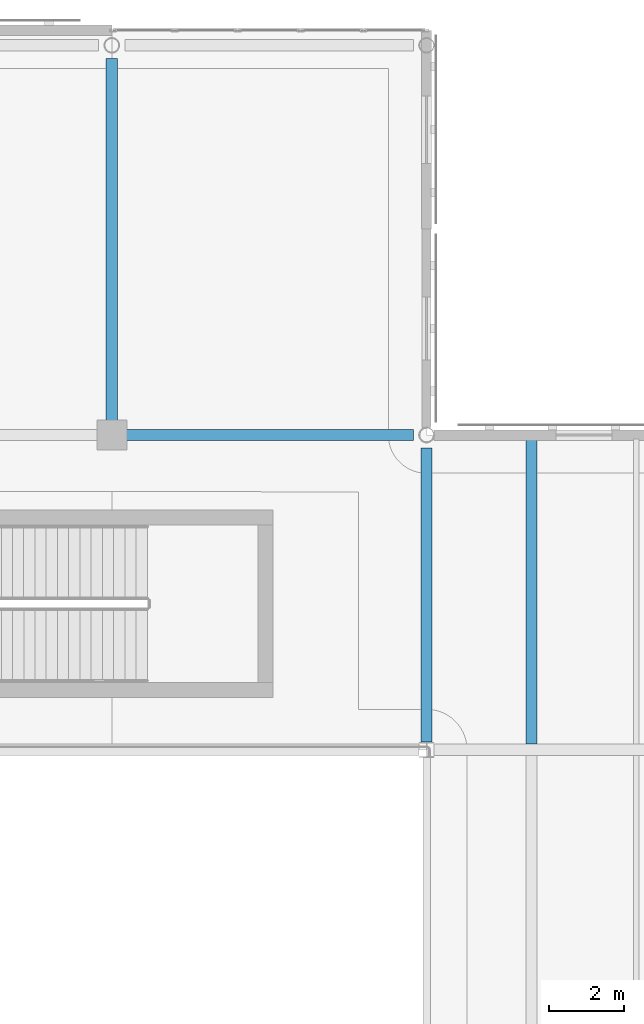
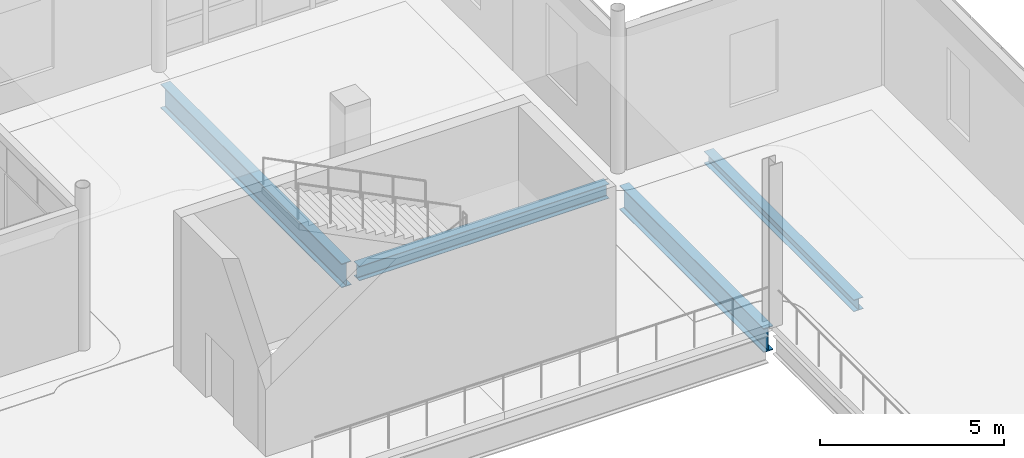
# One storey, part 31 of 110: 4 beams.
"""IFC4 building model written with IfcOpenShell, lengths in metres."""

from ifc_helpers import new_model, si_unit, direction, frame, origin, origin_2d, place, context, subcontext, project, spatial, i_section, extrude, material, material_profile, profile_set, type_object, element, save


model = new_model("IFC4")

# Units and contexts
model_context = context("Model", 3, precision=1e-05, world=origin(), true_north=direction((0.0, 1.0)))
body_context = subcontext(model_context, "Body", "Model", "MODEL_VIEW")
ifc_project = project(units=[si_unit("LENGTHUNIT", "METRE"), si_unit("AREAUNIT", "SQUARE_METRE"), si_unit("VOLUMEUNIT", "CUBIC_METRE"), si_unit("PLANEANGLEUNIT", "RADIAN"), si_unit("MASSUNIT", "GRAM", prefix="KILO"), si_unit("THERMODYNAMICTEMPERATUREUNIT", "KELVIN")], contexts=[model_context])

# Site, building, storey
site_placement = place(None, origin())
site = spatial("IfcSite", under=ifc_project, at=site_placement, CompositionType="ELEMENT")
building_placement = place(site_placement, origin())
building = spatial("IfcBuilding", under=site, at=building_placement, Name="Lustrewick Department Store", CompositionType="ELEMENT")
storey_placement = place(building_placement, frame((0.0, 0.0, 6.0)))
storey = spatial("IfcBuildingStorey", under=building, at=storey_placement, Name="L02", CompositionType="ELEMENT", Elevation=6.0)

# Beams
ifc_material = material(Name="Structural steel Q355B", Category="steel")
ifc_material_profile_1 = material_profile(ifc_material, i_section(OverallWidth=0.300048828125, OverallDepth=0.389892578125, WebThickness=0.010009765625, FlangeThickness=0.01611328125, FilletRadius=0.01806640625, at=origin_2d()), Name="HM 390x300x10x16")
ifc_profile_set_1 = profile_set([ifc_material_profile_1], Name="Structural steel Q355B")
beam_type_1 = type_object("IfcBeamType", Name="B07", PredefinedType="JOIST", material=ifc_profile_set_1)
beam_1_placement = place(storey_placement, frame((95.199951171875, 92.550048828125, -0.449951171875), z_axis=(0.0, 1.0, 0.0), x_axis=(-1.0, 0.0, 0.0)))
element("IfcBeam", 1, at=beam_1_placement, inside=storey, type_object=beam_type_1, Name="L02 V2 Secondary Joist B07", PredefinedType="JOIST", context=body_context, shape_type="SweptSolid", body=[
    extrude(i_section(OverallWidth=0.300048828125, OverallDepth=0.389892578125, WebThickness=0.010009765625, FlangeThickness=0.01611328125, FilletRadius=0.01806640625, at=origin_2d()), origin(), (0.0, 0.0, 1.0), 8.1494140625),
])
ifc_material_profile_2 = material_profile(ifc_material, i_section(OverallWidth=0.300048828125, OverallDepth=0.800048828125, WebThickness=0.013916015625, FlangeThickness=0.02587890625, FilletRadius=0.02197265625, at=origin_2d()), Name="HN 800x300x14x26")
ifc_profile_set_2 = profile_set([ifc_material_profile_2], Name="Structural steel Q355B")
beam_type_2 = type_object("IfcBeamType", Name="G05", PredefinedType="BEAM", material=ifc_profile_set_2)
beam_2_placement = place(storey_placement, frame((84.0, 101.0, -0.655029296875), z_axis=(0.0, 1.0, 0.0), x_axis=(-1.0, 0.0, 0.0)))
element("IfcBeam", 2, at=beam_2_placement, inside=storey, type_object=beam_type_2, Name="L02 V2 Girder G05", PredefinedType="BEAM", context=body_context, shape_type="SweptSolid", body=[
    extrude(i_section(OverallWidth=0.300048828125, OverallDepth=0.800048828125, WebThickness=0.013916015625, FlangeThickness=0.02587890625, FilletRadius=0.02197265625, at=origin_2d()), origin(), (0.0, 0.0, 1.0), 9.85009765625),
])
beam_3_placement = place(storey_placement, frame((92.39990234375, 92.60693359375, -0.655029296875), z_axis=(0.0, 1.0, 0.0), x_axis=(-1.0, 0.0, 0.0)))
element("IfcBeam", 3, at=beam_3_placement, inside=storey, type_object=beam_type_2, Name="L02 V2 Girder G05", PredefinedType="BEAM", context=body_context, shape_type="SweptSolid", body=[
    extrude(i_section(OverallWidth=0.300048828125, OverallDepth=0.800048828125, WebThickness=0.013916015625, FlangeThickness=0.02587890625, FilletRadius=0.02197265625, at=origin_2d()), origin(), (0.0, 0.0, 1.0), 7.843017578125),
])
ifc_material_profile_3 = material_profile(ifc_material, i_section(OverallWidth=0.300048828125, OverallDepth=0.48193359375, WebThickness=0.010986328125, FlangeThickness=0.014892578125, FilletRadius=0.02197265625, at=origin_2d()), Name="HM 482x300x11x15")
ifc_profile_set_3 = profile_set([ifc_material_profile_3], Name="Structural steel Q355B")
beam_type_3 = type_object("IfcBeamType", Name="G20", PredefinedType="BEAM", material=ifc_profile_set_3)
beam_4_placement = place(storey_placement, frame((84.199951171875, 100.800048828125, -0.49609375), z_axis=(1.0, 0.0, 0.0), x_axis=(0.0, 1.0, 0.0)))
element("IfcBeam", 4, at=beam_4_placement, inside=storey, type_object=beam_type_3, Name="L02 V2 Girder G20", PredefinedType="BEAM", context=body_context, shape_type="SweptSolid", body=[
    extrude(i_section(OverallWidth=0.300048828125, OverallDepth=0.48193359375, WebThickness=0.010986328125, FlangeThickness=0.014892578125, FilletRadius=0.02197265625, at=origin_2d()), origin(), (0.0, 0.0, 1.0), 7.85009765625),
])

save(model, "model.ifc")
